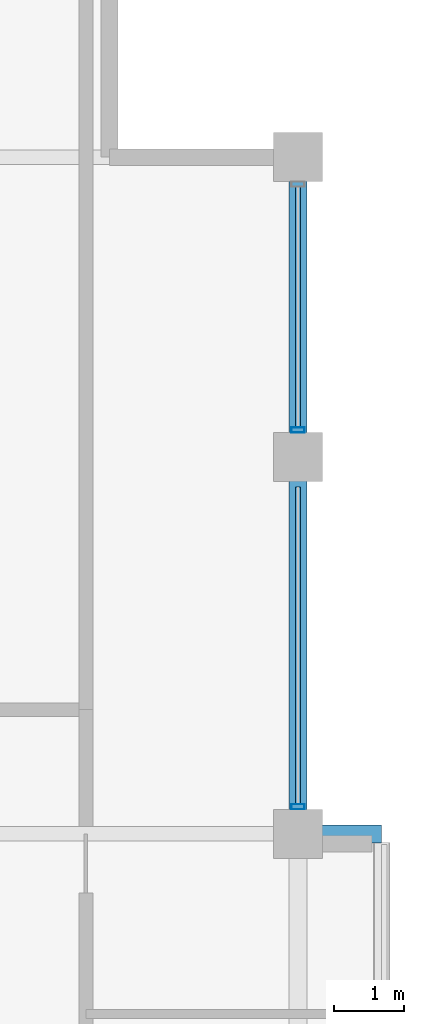
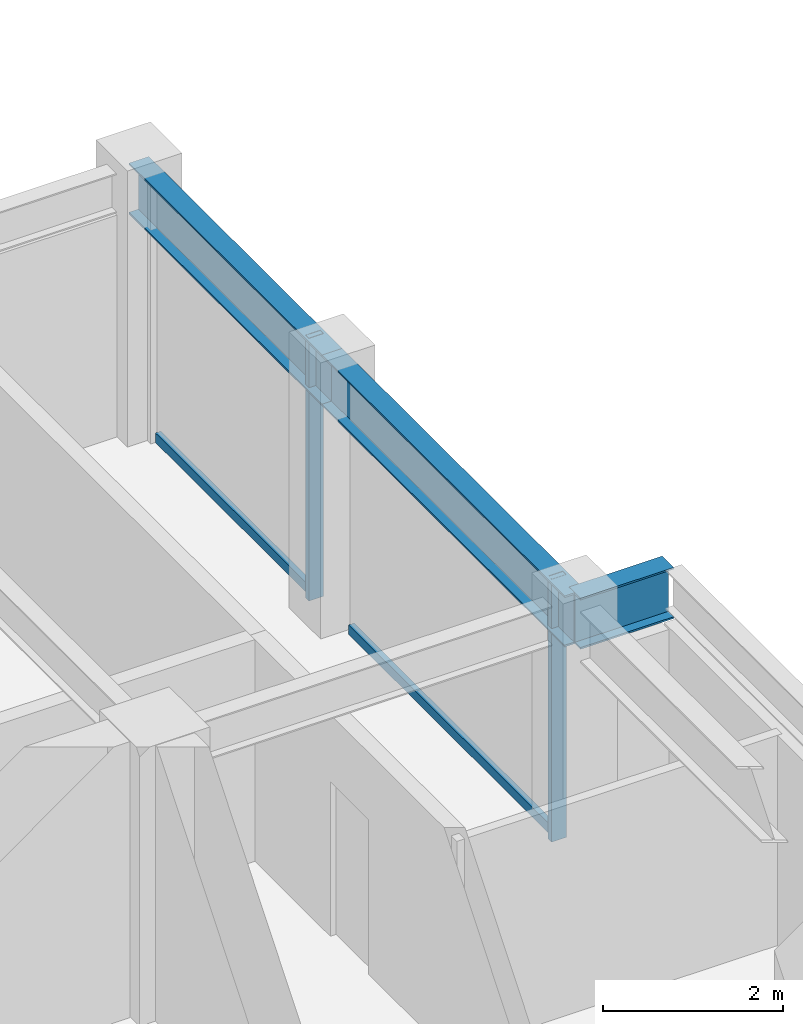
# One storey, part 18 of 29: 4 members, 3 beams, 1 element without a shape of its own.
"""IFC4 building model written with IfcOpenShell, lengths in metres."""

from ifc_helpers import new_model, si_unit, direction, frame, origin, origin_2d, place, context, subcontext, project, spatial, hollow_rectangle, i_section, extrude, material, layer, layer_set, material_profile, profile_set, type_object, element, aggregate, save


model = new_model("IFC4")

# Units and contexts
model_context = context("Model", 3, precision=1e-05, world=origin(), true_north=direction((0.0, 1.0)))
body_context = subcontext(model_context, "Body", "Model", "MODEL_VIEW")
ifc_project = project(units=[si_unit("LENGTHUNIT", "METRE"), si_unit("AREAUNIT", "SQUARE_METRE"), si_unit("VOLUMEUNIT", "CUBIC_METRE"), si_unit("PLANEANGLEUNIT", "RADIAN"), si_unit("MASSUNIT", "GRAM", prefix="KILO")], contexts=[model_context])

# Site, building, storey
site_placement = place(None, origin())
site = spatial("IfcSite", under=ifc_project, at=site_placement, CompositionType="ELEMENT")
building_placement = place(site_placement, origin())
building = spatial("IfcBuilding", under=site, at=building_placement, Name="Surkhivell Harbour Commons", CompositionType="ELEMENT")
storey_placement = place(building_placement, frame((0.0, 0.0, 273.75)))
storey = spatial("IfcBuildingStorey", under=building, at=storey_placement, Name="L71", CompositionType="ELEMENT", Elevation=273.75)

# Beams
ifc_material_1 = material(Name="Steel S460", Category="steel")
ifc_material_profile_1 = material_profile(ifc_material_1, i_section(OverallWidth=0.256103515625, OverallDepth=0.693115234375, WebThickness=0.014404296875, FlangeThickness=0.023681640625, at=origin_2d()), Name="UB686x254x170")
ifc_profile_set_1 = profile_set([ifc_material_profile_1], Name="Steel S460")
beam_type_1 = type_object("IfcBeamType", Name="BM-CNT-686", PredefinedType="BEAM", material=ifc_profile_set_1)
beam_1_placement = place(storey_placement, frame((16.199951171875, 10.800048828125, 3.223388671875), z_axis=(1.0, 0.0, 0.0), x_axis=(0.0, 1.0, 0.0)))
element("IfcBeam", 1, at=beam_1_placement, inside=storey, type_object=beam_type_1, Name="L71 Box Cantilever Outrigger (16.2,10.8)", PredefinedType="BEAM", context=body_context, shape_type="SweptSolid", body=[
    extrude(i_section(OverallWidth=0.256103515625, OverallDepth=0.693115234375, WebThickness=0.014404296875, FlangeThickness=0.023681640625, at=origin_2d()), origin(), (0.0, 0.0, 1.0), 1.199951171875),
])
ifc_material_2 = material(Name="Steel S355", Category="steel")
ifc_material_profile_2 = material_profile(ifc_material_2, i_section(OverallWidth=0.256103515625, OverallDepth=0.693115234375, WebThickness=0.014404296875, FlangeThickness=0.023681640625, at=origin_2d()), Name="UB686x254x170")
ifc_profile_set_2 = profile_set([ifc_material_profile_2], Name="Steel S355")
beam_type_2 = type_object("IfcBeamType", Name="BM-SPN-686", PredefinedType="SPANDREL", material=ifc_profile_set_2)
beam_2_placement = place(storey_placement, frame((16.199951171875, 10.800048828125, 3.223388671875), z_axis=(0.0, 1.0, 0.0), x_axis=(-1.0, 0.0, 0.0)))
element("IfcBeam", 2, at=beam_2_placement, inside=storey, type_object=beam_type_2, Name="L71 Tube Spandrel (16.2,10.8)", PredefinedType="SPANDREL", context=body_context, shape_type="SweptSolid", body=[
    extrude(i_section(OverallWidth=0.256103515625, OverallDepth=0.693115234375, WebThickness=0.014404296875, FlangeThickness=0.023681640625, at=origin_2d()), origin(), (0.0, 0.0, 1.0), 5.39990234375),
])
beam_3_placement = place(storey_placement, frame((16.199951171875, 16.199951171875, 3.223388671875), z_axis=(0.0, 1.0, 0.0), x_axis=(-1.0, 0.0, 0.0)))
element("IfcBeam", 3, at=beam_3_placement, inside=storey, type_object=beam_type_2, Name="L71 Tube Spandrel (16.2,16.2)", PredefinedType="SPANDREL", context=body_context, shape_type="SweptSolid", body=[
    extrude(i_section(OverallWidth=0.256103515625, OverallDepth=0.693115234375, WebThickness=0.014404296875, FlangeThickness=0.023681640625, at=origin_2d()), origin(), (0.0, 0.0, 1.0), 4.300048828125),
])

# Curtain wall, members
ifc_material_3 = material(Name="Anodised pale-metal aluminium and insulated glazing", Category="aluminium")
ifc_layer = layer(ifc_material_3, 0.175048828125)
ifc_layer_set = layer_set([ifc_layer], Name="Anodised pale-metal aluminium and insulated glazing")
curtain_wall_type = type_object("IfcCurtainWallType", Name="CW-SYS-Z4", PredefinedType="NOTDEFINED", material=ifc_layer_set)
curtain_wall_placement = place(storey_placement, origin())
curtain_wall = element("IfcCurtainWall", 4, at=curtain_wall_placement, inside=storey, type_object=curtain_wall_type, Name="L71 Curtain Wall CW-L71-E02R2", PredefinedType="NOTDEFINED")
ifc_material_4 = material(Name="Anodised pale-metal aluminium alloy 6063-T6", Category="aluminium")
ifc_material_profile_3 = material_profile(ifc_material_4, hollow_rectangle(XDim=0.074951171875, YDim=0.18994140625, WallThickness=0.00390625, at=origin_2d()), Name="ALU-MULL-75x190")
ifc_profile_set_3 = profile_set([ifc_material_profile_3], Name="Anodised pale-metal aluminium alloy 6063-T6")
member_type_1 = type_object("IfcMemberType", Name="CWM-190", PredefinedType="MULLION", material=ifc_profile_set_3)
member_1_placement = place(storey_placement, frame((16.199951171875, 11.189453125, 0.0), z_axis=(0.0, 0.0, 1.0), x_axis=(0.0, 1.0, 0.0)))
member_1 = element("IfcMember", 5, at=member_1_placement, type_object=member_type_1, Name="CW-Z4 mullion 1", PredefinedType="MULLION", context=body_context, shape_type="SweptSolid", body=[
    extrude(hollow_rectangle(XDim=0.074951171875, YDim=0.18994140625, WallThickness=0.00390625, at=origin_2d()), origin(), (0.0, 0.0, 1.0), 3.570068359375),
])
member_2_placement = place(storey_placement, frame((16.199951171875, 16.589599609375, 0.0), z_axis=(0.0, 0.0, 1.0), x_axis=(0.0, 1.0, 0.0)))
member_2 = element("IfcMember", 6, at=member_2_placement, type_object=member_type_1, Name="CW-Z4 mullion 2", PredefinedType="MULLION", context=body_context, shape_type="SweptSolid", body=[
    extrude(hollow_rectangle(XDim=0.074951171875, YDim=0.18994140625, WallThickness=0.00390625, at=origin_2d()), origin(), (0.0, 0.0, 1.0), 3.570068359375),
])
ifc_material_5 = material(Name="Champagne anodised aluminium alloy 6063-T6", Category="aluminium")
ifc_material_profile_4 = material_profile(ifc_material_5, hollow_rectangle(XDim=0.070068359375, YDim=0.1298828125, WallThickness=0.00341796875, at=origin_2d()), Name="ALU-TRAN-70x130")
ifc_profile_set_4 = profile_set([ifc_material_profile_4], Name="Champagne anodised aluminium alloy 6063-T6")
member_type_2 = type_object("IfcMemberType", Name="CWT-130", PredefinedType="USERDEFINED", material=ifc_profile_set_4)
member_3_placement = place(storey_placement, frame((16.199951171875, 11.22705078125, 0.06494140625), z_axis=(0.0, 1.0, 0.0), x_axis=(-1.0, 0.0, 0.0)))
member_3 = element("IfcMember", 7, at=member_3_placement, type_object=member_type_2, Name="CW-Z4 transom 1.1", ObjectType="TRANSOM", PredefinedType="USERDEFINED", context=body_context, shape_type="SweptSolid", body=[
    extrude(hollow_rectangle(XDim=0.070068359375, YDim=0.1298828125, WallThickness=0.00341796875, at=origin_2d()), origin(), (0.0, 0.0, 1.0), 4.5458984375),
])
member_4_placement = place(storey_placement, frame((16.199951171875, 16.626953125, 0.06494140625), z_axis=(0.0, 1.0, 0.0), x_axis=(-1.0, 0.0, 0.0)))
member_4 = element("IfcMember", 8, at=member_4_placement, type_object=member_type_2, Name="CW-Z4 transom 2.1", ObjectType="TRANSOM", PredefinedType="USERDEFINED", context=body_context, shape_type="SweptSolid", body=[
    extrude(hollow_rectangle(XDim=0.070068359375, YDim=0.1298828125, WallThickness=0.00341796875, at=origin_2d()), origin(), (0.0, 0.0, 1.0), 3.446044921875),
])
aggregate(curtain_wall, [member_1, member_3, member_2, member_4])

save(model, "model.ifc")
